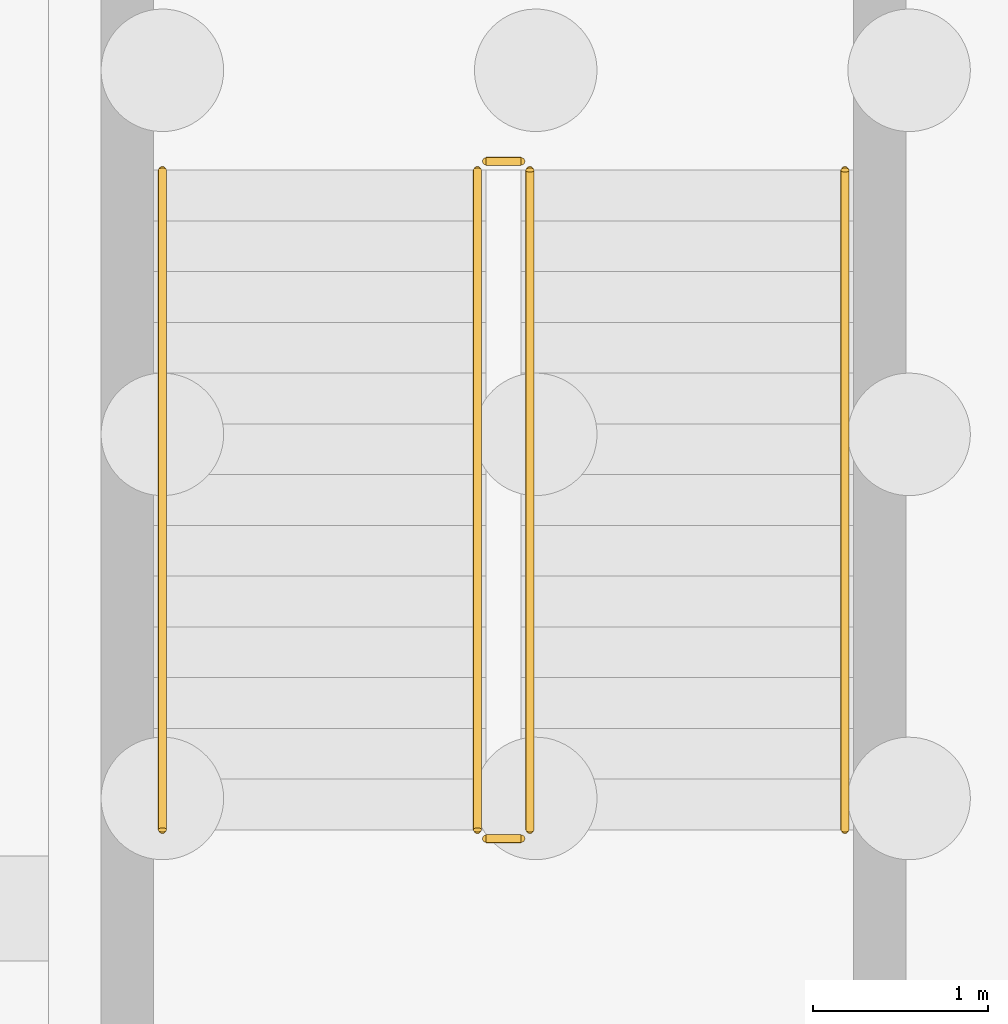
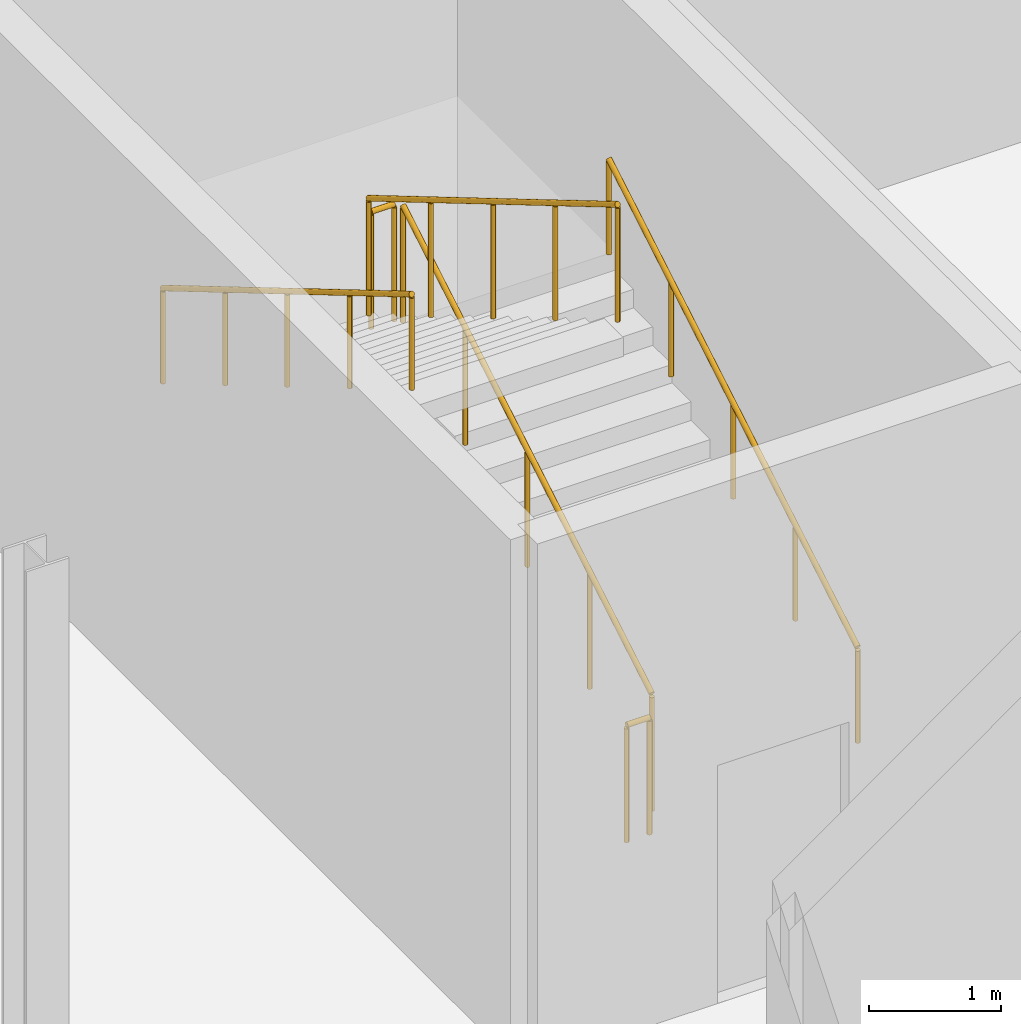
# One storey, part 37 of 37: 6 railings.
"""IFC4 building model written with IfcOpenShell, lengths in metres."""

from ifc_helpers import new_model, si_unit, direction, frame, origin, origin_2d, place, context, subcontext, project, spatial, circle, extrude, material, type_object, element, save


model = new_model("IFC4")

# Units and contexts
model_context = context("Model", 3, precision=1e-05, world=origin(), true_north=direction((0.0, 1.0)))
body_context = subcontext(model_context, "Body", "Model", "MODEL_VIEW")
ifc_project = project(units=[si_unit("LENGTHUNIT", "METRE"), si_unit("AREAUNIT", "SQUARE_METRE"), si_unit("VOLUMEUNIT", "CUBIC_METRE"), si_unit("PLANEANGLEUNIT", "RADIAN"), si_unit("MASSUNIT", "GRAM", prefix="KILO"), si_unit("THERMODYNAMICTEMPERATUREUNIT", "KELVIN"), si_unit("POWERUNIT", "WATT")], contexts=[model_context])

# Site, building, storey
site_placement = place(None, origin())
site = spatial("IfcSite", under=ifc_project, at=site_placement, CompositionType="ELEMENT")
building_placement = place(site_placement, origin())
building = spatial("IfcBuilding", under=site, at=building_placement, Name="Zelmaris Science Centre", CompositionType="ELEMENT")
storey_placement = place(building_placement, frame((0.0, 0.0, -4.800048828125)))
storey = spatial("IfcBuildingStorey", under=building, at=storey_placement, Name="B1", CompositionType="ELEMENT", Elevation=-4.800048828125)

# Railings
ifc_material = material(Name="Architectural bronze alloy C28000")
railing_type_1 = type_object("IfcRailingType", Name="Balustrade GD-01 H1120", PredefinedType="BALUSTRADE", material=ifc_material)
railing_1_placement = place(storey_placement, frame((131.64990234375, 40.449951171875, 0.17138671875)))
element("IfcRailing", 1, at=railing_1_placement, inside=storey, type_object=railing_type_1, Name="B1 ST-5 stair guard 1", PredefinedType="BALUSTRADE", context=body_context, shape_type="SweptSolid", body=[
    extrude(circle(Radius=0.02392578125, at=origin_2d()), frame((0.0, 0.0, 1.076171875), z_axis=(0.0, 0.860824410104, 0.508902087802), x_axis=(-1.0, 0.0, 0.0)), (0.0, 0.0, 1.0), 4.379638671875),
    extrude(circle(Radius=0.02099609375, at=origin_2d()), origin(), (0.0, 0.0, 1.0), 1.052001953125),
    extrude(circle(Radius=0.02099609375, at=origin_2d()), frame((0.0, 0.9423828125, 0.55712890625)), (0.0, 0.0, 1.0), 1.052001953125),
    extrude(circle(Radius=0.02099609375, at=origin_2d()), frame((0.0, 1.885009765625, 1.1142578125)), (0.0, 0.0, 1.0), 1.052001953125),
    extrude(circle(Radius=0.02099609375, at=origin_2d()), frame((0.0, 2.82763671875, 1.671630859375)), (0.0, 0.0, 1.0), 1.052001953125),
    extrude(circle(Radius=0.02099609375, at=origin_2d()), frame((0.0, 3.77001953125, 2.228759765625)), (0.0, 0.0, 1.0), 1.052001953125),
])
railing_2_placement = place(storey_placement, frame((131.60009765625, 44.27001953125, 2.400146484375)))
element("IfcRailing", 2, at=railing_2_placement, inside=storey, type_object=railing_type_1, Name="B1 ST-5 stair guard 2", PredefinedType="BALUSTRADE", context=body_context, shape_type="SweptSolid", body=[
    extrude(circle(Radius=0.02392578125, at=origin_2d()), frame((0.0, 0.0, 1.076171875), z_axis=(-1.0, 0.0, 0.0), x_axis=(0.0, -1.0, 0.0)), (0.0, 0.0, 1.0), 0.2001953125),
    extrude(circle(Radius=0.02099609375, at=origin_2d()), origin(), (0.0, 0.0, 1.0), 1.052001953125),
    extrude(circle(Radius=0.02099609375, at=origin_2d()), frame((-0.2001953125, 0.0, 0.0)), (0.0, 0.0, 1.0), 1.052001953125),
])
railing_3_placement = place(storey_placement, frame((131.35009765625, 44.219970703125, 2.571533203125)))
element("IfcRailing", 3, at=railing_3_placement, inside=storey, type_object=railing_type_1, Name="B1 ST-5 stair guard 3", PredefinedType="BALUSTRADE", context=body_context, shape_type="SweptSolid", body=[
    extrude(circle(Radius=0.02392578125, at=origin_2d()), frame((0.0, 0.0, 1.076171875), z_axis=(0.0, -0.860848830602, 0.508860777473), x_axis=(1.0, 0.0, 0.0)), (0.0, 0.0, 1.0), 4.37939453125),
    extrude(circle(Radius=0.02099609375, at=origin_2d()), origin(), (0.0, 0.0, 1.0), 1.052001953125),
    extrude(circle(Radius=0.02099609375, at=origin_2d()), frame((0.0, -0.9423828125, 0.55712890625)), (0.0, 0.0, 1.0), 1.052001953125),
    extrude(circle(Radius=0.02099609375, at=origin_2d()), frame((0.0, -1.885009765625, 1.1142578125)), (0.0, 0.0, 1.0), 1.052001953125),
    extrude(circle(Radius=0.02099609375, at=origin_2d()), frame((0.0, -2.82763671875, 1.67138671875)), (0.0, 0.0, 1.0), 1.052001953125),
    extrude(circle(Radius=0.02099609375, at=origin_2d()), frame((0.0, -3.77001953125, 2.228515625)), (0.0, 0.0, 1.0), 1.052001953125),
])
railing_4_placement = place(storey_placement, frame((131.60009765625, 40.39990234375, 0.0)))
element("IfcRailing", 4, at=railing_4_placement, inside=storey, type_object=railing_type_1, Name="B1 ST-5 stair guard 4", PredefinedType="BALUSTRADE", context=body_context, shape_type="SweptSolid", body=[
    extrude(circle(Radius=0.02392578125, at=origin_2d()), frame((0.0, 0.0, 1.076171875), z_axis=(-1.0, 0.0, 0.0), x_axis=(0.0, -1.0, 0.0)), (0.0, 0.0, 1.0), 0.2001953125),
    extrude(circle(Radius=0.02099609375, at=origin_2d()), origin(), (0.0, 0.0, 1.0), 1.052001953125),
    extrude(circle(Radius=0.02099609375, at=origin_2d()), frame((-0.2001953125, 0.0, 0.0)), (0.0, 0.0, 1.0), 1.052001953125),
])
railing_type_2 = type_object("IfcRailingType", Name="Handrail HR-01 H900", PredefinedType="HANDRAIL", material=ifc_material)
railing_5_placement = place(storey_placement, frame((133.449951171875, 40.449951171875, 0.17138671875)))
element("IfcRailing", 5, at=railing_5_placement, inside=storey, type_object=railing_type_2, Name="B1 ST-5 stair handrail 1", PredefinedType="HANDRAIL", context=body_context, shape_type="SweptSolid", body=[
    extrude(circle(Radius=0.02392578125, at=origin_2d()), frame((0.0, 0.0, 0.8759765625), z_axis=(0.0, 0.860824410104, 0.508902087802), x_axis=(-1.0, 0.0, 0.0)), (0.0, 0.0, 1.0), 4.379638671875),
    extrude(circle(Radius=0.02099609375, at=origin_2d()), origin(), (0.0, 0.0, 1.0), 0.851806640625),
    extrude(circle(Radius=0.02099609375, at=origin_2d()), frame((0.0, 0.9423828125, 0.55712890625)), (0.0, 0.0, 1.0), 0.851806640625),
    extrude(circle(Radius=0.02099609375, at=origin_2d()), frame((0.0, 1.885009765625, 1.1142578125)), (0.0, 0.0, 1.0), 0.851806640625),
    extrude(circle(Radius=0.02099609375, at=origin_2d()), frame((0.0, 2.82763671875, 1.671630859375)), (0.0, 0.0, 1.0), 0.851806640625),
    extrude(circle(Radius=0.02099609375, at=origin_2d()), frame((0.0, 3.77001953125, 2.228759765625)), (0.0, 0.0, 1.0), 0.851806640625),
])
railing_6_placement = place(storey_placement, frame((129.550048828125, 44.219970703125, 2.571533203125)))
element("IfcRailing", 6, at=railing_6_placement, inside=storey, type_object=railing_type_2, Name="B1 ST-5 stair handrail 2", PredefinedType="HANDRAIL", context=body_context, shape_type="SweptSolid", body=[
    extrude(circle(Radius=0.02392578125, at=origin_2d()), frame((0.0, 0.0, 0.8759765625), z_axis=(0.0, -0.860848830602, 0.508860777473), x_axis=(1.0, 0.0, 0.0)), (0.0, 0.0, 1.0), 4.37939453125),
    extrude(circle(Radius=0.02099609375, at=origin_2d()), origin(), (0.0, 0.0, 1.0), 0.851806640625),
    extrude(circle(Radius=0.02099609375, at=origin_2d()), frame((0.0, -0.9423828125, 0.55712890625)), (0.0, 0.0, 1.0), 0.851806640625),
    extrude(circle(Radius=0.02099609375, at=origin_2d()), frame((0.0, -1.885009765625, 1.1142578125)), (0.0, 0.0, 1.0), 0.851806640625),
    extrude(circle(Radius=0.02099609375, at=origin_2d()), frame((0.0, -2.82763671875, 1.67138671875)), (0.0, 0.0, 1.0), 0.851806640625),
    extrude(circle(Radius=0.02099609375, at=origin_2d()), frame((0.0, -3.77001953125, 2.228515625)), (0.0, 0.0, 1.0), 0.851806640625),
])

save(model, "model.ifc")
